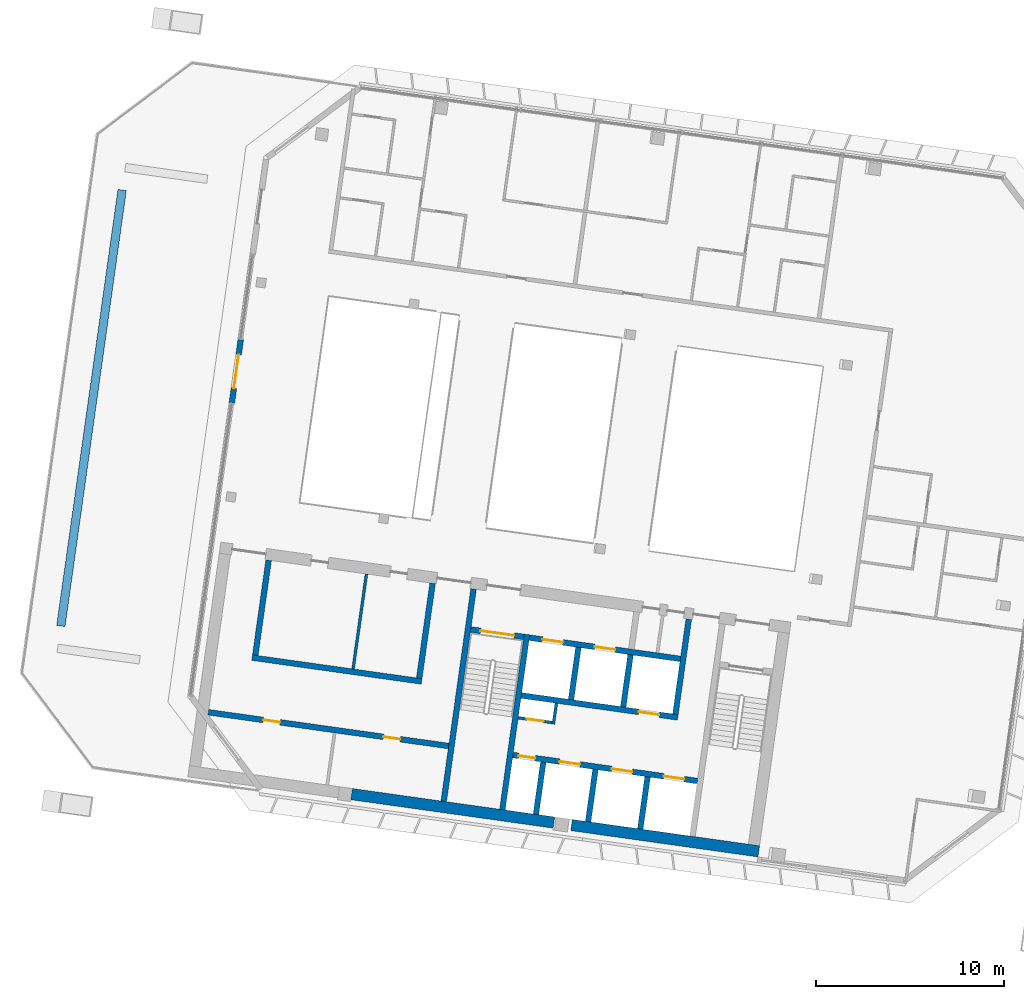
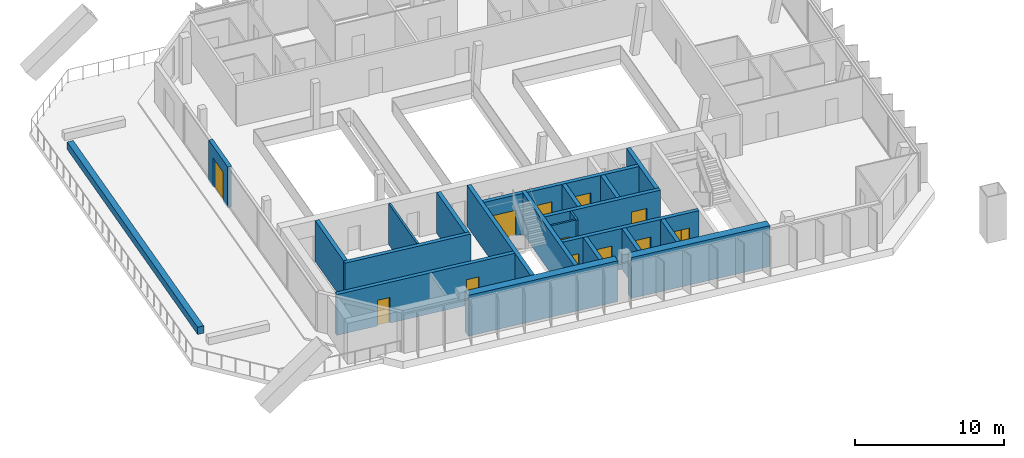
# One storey, part 10 of 19: 23 walls, 12 doors, 12 openings.
"""IFC4 building model written with IfcOpenShell, lengths in metres."""

import ifcopenshell
import ifcopenshell.guid

model = None  # the IFC model being written
_history = None  # IfcOwnerHistory: only IFC2X3 demands one
_inside = {}  # id of a spatial element -> (the spatial element, [elements in it])
_under = {}  # id of a project, library or spatial element -> (it, [spatial elements below it])
_declared = {}  # id of a project -> (the project, [libraries it declares])
_typed = {}  # id of a type object -> (the type object, [elements of that type])
_made_of = {}  # id of a material, layer set ... -> (it, [elements and type objects made of it])


def new_model(schema):
    """Start an empty IFC model of exactly this schema.

    Asked for "IFC4X3", IfcOpenShell would pick the latest addendum, in which some entities
    have other attributes; the version numbers below select the first issue.
    IFC2X3 requires an IfcOwnerHistory on every rooted entity: one is made here for all.
    """
    global model, _history
    if schema == "IFC4X3":
        model = ifcopenshell.file(schema_version=(4, 3, 0, 0))
    else:
        model = ifcopenshell.file(schema=schema)
    _inside.clear()
    _under.clear()
    _declared.clear()
    _typed.clear()
    _made_of.clear()
    _history = None
    if model.schema == "IFC2X3":
        org = make("IfcOrganization", Name="unknown")
        user = make(
            "IfcPersonAndOrganization",
            ThePerson=make("IfcPerson", FamilyName="unknown"),
            TheOrganization=org,
        )
        app = make(
            "IfcApplication",
            ApplicationDeveloper=org,
            Version="unknown",
            ApplicationFullName="unknown",
            ApplicationIdentifier="unknown",
        )
        _history = make(
            "IfcOwnerHistory",
            OwningUser=user,
            OwningApplication=app,
            ChangeAction="ADDED",
            CreationDate=0,
        )
    return model


def make(cls, **values):
    """One entity of the class cls with the attributes given. An attribute that is None is left unset."""
    return model.create_entity(
        cls, **{name: value for name, value in values.items() if value is not None}
    )


def rooted(cls, **values):
    """An entity with a GlobalId (a new one), such as an element, a storey or a relation."""
    return make(cls, GlobalId=ifcopenshell.guid.new(), OwnerHistory=_history, **values)


def si_unit(unit_type, name, prefix=None):
    """IfcSIUnit, for example si_unit("LENGTHUNIT", "METRE", prefix="MILLI")."""
    return make("IfcSIUnit", UnitType=unit_type, Prefix=prefix, Name=name)


def assignment(units):
    """IfcUnitAssignment: the units of a project."""
    return None if units is None else make("IfcUnitAssignment", Units=units)


def point(xyz):
    """IfcCartesianPoint."""
    return None if xyz is None else make("IfcCartesianPoint", Coordinates=xyz)


def direction(xyz):
    """IfcDirection."""
    return None if xyz is None else make("IfcDirection", DirectionRatios=xyz)


def frame(location, z_axis=None, x_axis=None):
    """IfcAxis2Placement3D, a coordinate frame: its origin and axes. An axis left out is left unset."""
    return make(
        "IfcAxis2Placement3D",
        Location=point(location),
        Axis=direction(z_axis),
        RefDirection=direction(x_axis),
    )


def frame_2d(location, x_axis=None):
    """IfcAxis2Placement2D, a coordinate frame in the plane: its origin and x axis."""
    return make(
        "IfcAxis2Placement2D", Location=point(location), RefDirection=direction(x_axis)
    )


def origin():
    """The frame at (0, 0, 0) with its axes left unset."""
    return frame((0.0, 0.0, 0.0))


def place(relative_to, where):
    """IfcLocalPlacement: puts the frame where relative to a parent placement (None: the world)."""
    return make(
        "IfcLocalPlacement", PlacementRelTo=relative_to, RelativePlacement=where
    )


def context(
    kind, dimensions, precision=None, world=None, true_north=None, identifier=None
):
    """IfcGeometricRepresentationContext, for example the 3D "Model" context."""
    return make(
        "IfcGeometricRepresentationContext",
        ContextIdentifier=identifier,
        ContextType=kind,
        CoordinateSpaceDimension=dimensions,
        Precision=precision,
        WorldCoordinateSystem=world,
        TrueNorth=true_north,
    )


def subcontext(parent, identifier, kind, view, scale=None):
    """IfcGeometricRepresentationSubContext, for example "Body" below "Model"."""
    return make(
        "IfcGeometricRepresentationSubContext",
        ContextIdentifier=identifier,
        ContextType=kind,
        ParentContext=parent,
        TargetScale=scale,
        TargetView=view,
    )


def project(units=None, contexts=None):
    """IfcProject with its units and contexts."""
    return rooted(
        "IfcProject",
        Name="project",
        RepresentationContexts=contexts,
        UnitsInContext=assignment(units),
    )


def spatial(cls, under=None, at=None, **own):
    """A site, building, storey or space (cls), placed at a placement, below another one or the project."""
    s = rooted(cls, ObjectPlacement=at, **own)
    if under is not None:
        _under.setdefault(under.id(), (under, []))[1].append(s)
    return s


def profile(cls, at=None, kind="AREA", **sizes):
    """A parametric profile (cls). Its sizes go by their IFC names, for example OverallWidth=200.0."""
    return make(cls, ProfileType=kind, Position=at, **sizes)


def rectangle(**sizes):
    """IfcRectangleProfileDef."""
    return profile("IfcRectangleProfileDef", **sizes)


def extrude(swept, where, along, depth):
    """IfcExtrudedAreaSolid: the profile swept, set in the frame where, extruded along a direction by depth."""
    return make(
        "IfcExtrudedAreaSolid",
        SweptArea=swept,
        Position=where,
        ExtrudedDirection=direction(along),
        Depth=depth,
    )


def shape(context_of_items, identifier, shape_type, items):
    """IfcShapeRepresentation: the items that make up one representation, for example the "Body"."""
    return make(
        "IfcShapeRepresentation",
        ContextOfItems=context_of_items,
        RepresentationIdentifier=identifier,
        RepresentationType=shape_type,
        Items=items,
    )


def material(Name=None, Category=None):
    """IfcMaterial."""
    return make("IfcMaterial", Name=Name, Category=Category)


def layer(
    of_material, thickness, ventilated=None, Name=None, Category=None, Priority=None
):
    """IfcMaterialLayer: one layer of a wall or slab, of a material (None: an air gap)."""
    return make(
        "IfcMaterialLayer",
        Material=of_material,
        LayerThickness=thickness,
        IsVentilated=ventilated,
        Name=Name,
        Category=Category,
        Priority=Priority,
    )


def layer_set(layers, Name=None):
    """IfcMaterialLayerSet."""
    return make("IfcMaterialLayerSet", MaterialLayers=layers, LayerSetName=Name)


def made_of(thing, what):
    """Note that an element or type object is made of a material, layer set ...; save() writes the relation."""
    if what is not None:
        _made_of.setdefault(what.id(), (what, []))[1].append(thing)
    return thing


def type_object(cls, material=None, **own):
    """A type object (cls), such as IfcWallType, which elements share."""
    return made_of(rooted(cls, **own), material)


def element(
    cls,
    number,
    at=None,
    inside=None,
    cuts=None,
    type_object=None,
    material=None,
    context=None,
    identifier="Body",
    shape_type=None,
    held_by="IfcProductDefinitionShape",
    body=None,
    shapes=None,
    **own,
):
    """One element of the class cls, such as IfcWall. Its Tag is "e" and its number.

    at: its placement. inside: the storey or other place that contains it. cuts: it is an
    opening in that element (IfcRelVoidsElement). A single representation is given by context,
    identifier, shape_type and body (its items); several are given by shapes. held_by: the class
    of the entity that holds the representations. save() writes the other relations.
    """
    e = rooted(cls, Tag="e%d" % number, ObjectPlacement=at, **own)
    if body is not None:
        shapes = [shape(context, identifier, shape_type, body)]
    if shapes is not None:
        e.Representation = make(held_by, Representations=shapes)
    if inside is not None:
        _inside.setdefault(inside.id(), (inside, []))[1].append(e)
    if cuts is not None:
        rooted(
            "IfcRelVoidsElement", RelatingBuildingElement=cuts, RelatedOpeningElement=e
        )
    if type_object is not None:
        _typed.setdefault(type_object.id(), (type_object, []))[1].append(e)
    return made_of(e, material)


def fill(opening, filler):
    """IfcRelFillsElement: the door or window that sits in an opening."""
    return rooted(
        "IfcRelFillsElement",
        RelatingOpeningElement=opening,
        RelatedBuildingElement=filler,
    )


def aggregate(whole, parts):
    """IfcRelAggregates: a whole, such as a stair, and the parts it consists of."""
    return rooted("IfcRelAggregates", RelatingObject=whole, RelatedObjects=parts)


def save(model, path):
    """Write the relations noted so far, then the file.

    IfcRelAggregates (storeys below a building ...), IfcRelContainedInSpatialStructure (elements
    in a storey), IfcRelDefinesByType, IfcRelAssociatesMaterial and IfcRelDeclares: one each for
    every whole, place, type object, material and project.
    """
    for whole, parts in _under.values():
        aggregate(whole, parts)
    for where, things in _inside.values():
        rooted(
            "IfcRelContainedInSpatialStructure",
            RelatedElements=things,
            RelatingStructure=where,
        )
    for kind, things in _typed.values():
        rooted("IfcRelDefinesByType", RelatedObjects=things, RelatingType=kind)
    for what, things in _made_of.values():
        rooted("IfcRelAssociatesMaterial", RelatedObjects=things, RelatingMaterial=what)
    for by, libraries in _declared.values():
        rooted("IfcRelDeclares", RelatingContext=by, RelatedDefinitions=libraries)
    model.write(path)


model = new_model("IFC4")

# Units and contexts
model_context = context("Model", 3, precision=1e-05, world=origin(), true_north=direction((0.0, 1.0)))
body_context = subcontext(model_context, "Body", "Model", "MODEL_VIEW")
ifc_project = project(units=[si_unit("LENGTHUNIT", "METRE"), si_unit("AREAUNIT", "SQUARE_METRE"), si_unit("VOLUMEUNIT", "CUBIC_METRE"), si_unit("PLANEANGLEUNIT", "RADIAN"), si_unit("MASSUNIT", "GRAM", prefix="KILO")], contexts=[model_context])

# Site, building, storey
site_placement = place(None, origin())
site = spatial("IfcSite", under=ifc_project, at=site_placement, CompositionType="ELEMENT")
building_placement = place(site_placement, origin())
building = spatial("IfcBuilding", under=site, at=building_placement, Name="Mirante Cascada Hotel Towers", CompositionType="ELEMENT")
storey_placement = place(building_placement, frame((0.0, 0.0, 231.8)))
storey = spatial("IfcBuildingStorey", under=building, at=storey_placement, Name="L55", CompositionType="ELEMENT", Elevation=231.8)

# Wall
ifc_material_1 = material(Name="Masonry block", Category="masonry")
ifc_layer_1 = layer(ifc_material_1, 0.15)
ifc_layer_set_1 = layer_set([ifc_layer_1], Name="Core room partition 150 block EI 30")
wall_type_1 = type_object("IfcWallType", Name="Core room partition 150 block EI 30", PredefinedType="PARTITIONING", material=ifc_layer_set_1)
wall_1_placement = place(storey_placement, frame((-48.2295, -12.793, 0.0), z_axis=(0.0, 0.0, 1.0), x_axis=(0.1391935, 0.9902652, 0.0)))
element("IfcWall", 1, at=wall_1_placement, inside=storey, type_object=wall_type_1, Name="Core wall partition T1 L55 2", PredefinedType="PARTITIONING", context=body_context, shape_type="SweptSolid", body=[
    extrude(rectangle(XDim=1.1251, YDim=0.15, at=frame_2d((0.5626, 0.0))), origin(), (0.0, 0.0, 1.0), 3.35),
])

# Wall, opening, door
wall_2_placement = place(storey_placement, frame((-48.2933, -12.7083, 0.0), z_axis=(0.0, 0.0, 1.0), x_axis=(-0.990268, 0.1391734, 0.0)))
wall_2 = element("IfcWall", 2, at=wall_2_placement, inside=storey, type_object=wall_type_1, Name="Core wall partition T1 L55 3", PredefinedType="PARTITIONING", context=body_context, shape_type="SweptSolid", body=[
    extrude(rectangle(XDim=1.8251, YDim=0.15, at=frame_2d((0.9126, 0.0))), origin(), (0.0, 0.0, 1.0), 3.35),
])
opening_1_placement = place(wall_2_placement, frame((0.4625, 0.0, 0.0)))
opening_1 = element("IfcOpeningElement", 3, at=opening_1_placement, cuts=wall_2, Name="Opening D1-55-C15", PredefinedType="OPENING", context=body_context, shape_type="SweptSolid", body=[
    extrude(rectangle(XDim=0.9, YDim=2.1, at=frame_2d((0.45, 1.05))), frame((0.0, 0.075, 0.0), z_axis=(0.0, -1.0, 0.0), x_axis=(1.0, 0.0, 0.0)), (0.0, 0.0, 1.0), 0.15),
])
ifc_material_2 = material(Name="Hollow metal fire door leaf")
door_type_1 = type_object("IfcDoorType", Name="Fire door 900x2100 FD60", OperationType="NOTDEFINED", PredefinedType="DOOR", material=ifc_material_2)
door_1_placement = place(opening_1_placement, origin())
door_1 = element("IfcDoor", 4, at=door_1_placement, inside=storey, type_object=door_type_1, Name="Riser door T1 L55 15", OperationType="SINGLE_SWING_LEFT", OverallHeight=2.1, OverallWidth=0.9, PredefinedType="DOOR", context=body_context, shape_type="SweptSolid", body=[
    extrude(rectangle(XDim=0.9, YDim=2.1, at=frame_2d((0.45, 1.05))), frame((0.0, 0.025, 0.0), z_axis=(0.0, -1.0, 0.0), x_axis=(1.0, 0.0, 0.0)), (0.0, 0.0, 1.0), 0.05),
])
fill(opening_1, door_1)

# Wall
wall_3_placement = place(storey_placement, frame((-58.8746, -9.8579, 0.0), z_axis=(0.0, 0.0, 1.0), x_axis=(0.1391755, 0.9902677, 0.0)))
element("IfcWall", 5, at=wall_3_placement, inside=storey, type_object=wall_type_1, Name="Core wall partition T1 L55 7", PredefinedType="PARTITIONING", context=body_context, shape_type="SweptSolid", body=[
    extrude(rectangle(XDim=5.1, YDim=0.15, at=frame_2d((2.55, 0.0))), origin(), (0.0, 0.0, 1.0), 3.35),
])

# Wall, openings, doors
ifc_material_3 = material(Name="Masonry block", Category="masonry")
ifc_layer_2 = layer(ifc_material_3, 0.3)
ifc_layer_set_2 = layer_set([ifc_layer_2], Name="Core wall 300 block EI 120")
wall_type_2 = type_object("IfcWallType", Name="Core wall 300 block EI 120", PredefinedType="PARTITIONING", material=ifc_layer_set_2)
wall_4_placement = place(storey_placement, frame((-53.7953, -13.9547, 0.0), z_axis=(0.0, 0.0, 1.0), x_axis=(-0.9902674, 0.1391777, 0.0)))
wall_4 = element("IfcWall", 6, at=wall_4_placement, inside=storey, type_object=wall_type_2, Name="Core wall partition T1 L55 5", PredefinedType="PARTITIONING", context=body_context, shape_type="SweptSolid", body=[
    extrude(rectangle(XDim=12.9001, YDim=0.3, at=frame_2d((6.45, 0.0))), origin(), (0.0, 0.0, 1.0), 3.35),
])
opening_2_placement = place(wall_4_placement, frame((2.6, 0.0, 0.0)))
opening_2 = element("IfcOpeningElement", 7, at=opening_2_placement, cuts=wall_4, Name="Opening D1-55-C18", PredefinedType="OPENING", context=body_context, shape_type="SweptSolid", body=[
    extrude(rectangle(XDim=0.9, YDim=2.1, at=frame_2d((0.45, 1.05))), frame((0.0, 0.15, 0.0), z_axis=(0.0, -1.0, 0.0), x_axis=(1.0, 0.0, 0.0)), (0.0, 0.0, 1.0), 0.3),
])
opening_3_placement = place(wall_4_placement, frame((9.05, 0.0, 0.0)))
opening_3 = element("IfcOpeningElement", 8, at=opening_3_placement, cuts=wall_4, Name="Opening D1-55-C19", PredefinedType="OPENING", context=body_context, shape_type="SweptSolid", body=[
    extrude(rectangle(XDim=0.9, YDim=2.1, at=frame_2d((0.45, 1.05))), frame((0.0, 0.15, 0.0), z_axis=(0.0, -1.0, 0.0), x_axis=(1.0, 0.0, 0.0)), (0.0, 0.0, 1.0), 0.3),
])
door_2_placement = place(opening_2_placement, origin())
door_2 = element("IfcDoor", 9, at=door_2_placement, inside=storey, type_object=door_type_1, Name="Room door T1 L55 18", OperationType="SINGLE_SWING_RIGHT", OverallHeight=2.1, OverallWidth=0.9, PredefinedType="DOOR", context=body_context, shape_type="SweptSolid", body=[
    extrude(rectangle(XDim=0.9, YDim=2.1, at=frame_2d((0.45, 1.05))), frame((0.0, 0.025, 0.0), z_axis=(0.0, -1.0, 0.0), x_axis=(1.0, 0.0, 0.0)), (0.0, 0.0, 1.0), 0.05),
])
fill(opening_2, door_2)
door_3_placement = place(opening_3_placement, origin())
door_3 = element("IfcDoor", 10, at=door_3_placement, inside=storey, type_object=door_type_1, Name="Room door T1 L55 19", OperationType="SINGLE_SWING_LEFT", OverallHeight=2.1, OverallWidth=0.9, PredefinedType="DOOR", context=body_context, shape_type="SweptSolid", body=[
    extrude(rectangle(XDim=0.9, YDim=2.1, at=frame_2d((0.45, 1.05))), frame((0.0, 0.025, 0.0), z_axis=(0.0, -1.0, 0.0), x_axis=(1.0, 0.0, 0.0)), (0.0, 0.0, 1.0), 0.05),
])
fill(opening_3, door_3)

# Wall
ifc_material_4 = material(Name="Precast concrete C40/50", Category="concrete")
ifc_layer_3 = layer(ifc_material_4, 0.45)
ifc_layer_set_3 = layer_set([ifc_layer_3], Name="Planter wall 450 concrete C40/50")
wall_type_3 = type_object("IfcWallType", Name="Planter wall 450 concrete C40/50", PredefinedType="PARAPET", material=ifc_layer_set_3)
wall_5_placement = place(storey_placement, frame((-74.4079, -7.5739, 0.0), z_axis=(0.0, 0.0, 1.0), x_axis=(0.1391708, 0.9902684, 0.0)))
element("IfcWall", 11, at=wall_5_placement, inside=storey, type_object=wall_type_3, Name="PLANTER T1 L55 bed 3", PredefinedType="PARAPET", context=body_context, shape_type="SweptSolid", body=[
    extrude(rectangle(XDim=23.4, YDim=0.45, at=frame_2d((11.7, 0.0))), origin(), (0.0, 0.0, 1.0), 0.6),
])

# Wall, opening, door
ifc_material_5 = material(Name="Precast concrete C40/50", Category="concrete")
ifc_layer_4 = layer(ifc_material_5, 0.3)
ifc_layer_set_4 = layer_set([ifc_layer_4], Name="Precast concrete C40/50 terrace wall 300")
wall_type_4 = type_object("IfcWallType", Name="Precast concrete C40/50 terrace wall 300", PredefinedType="STANDARD", material=ifc_layer_set_4)
wall_6_placement = place(storey_placement, frame((-65.3202, 4.2767, 0.0), z_axis=(0.0, 0.0, 1.0), x_axis=(0.1391769, 0.9902675, 0.0)))
wall_6 = element("IfcWall", 12, at=wall_6_placement, inside=storey, type_object=wall_type_4, Name="Lounge door pier wall T1 L55 2", PredefinedType="STANDARD", context=body_context, shape_type="SweptSolid", body=[
    extrude(rectangle(XDim=3.4, YDim=0.3, at=frame_2d((1.7, 0.0))), origin(), (0.0, 0.0, 1.0), 3.35),
])
opening_4_placement = place(wall_6_placement, frame((0.8, 0.0, 0.0)))
opening_4 = element("IfcOpeningElement", 13, at=opening_4_placement, cuts=wall_6, Name="Opening D1-55-91", PredefinedType="OPENING", context=body_context, shape_type="SweptSolid", body=[
    extrude(rectangle(XDim=1.8, YDim=2.4, at=frame_2d((0.9, 1.2))), frame((0.0, 0.15, 0.0), z_axis=(0.0, -1.0, 0.0), x_axis=(1.0, 0.0, 0.0)), (0.0, 0.0, 1.0), 0.3),
])
ifc_material_6 = material(Name="Aluminium frame with clear laminated glazing", Category="aluminium")
door_type_2 = type_object("IfcDoorType", Name="Terrace double door 1800x2400", OperationType="DOUBLE_DOOR_SINGLE_SWING", PredefinedType="DOOR", material=ifc_material_6)
door_4_placement = place(opening_4_placement, origin())
door_4 = element("IfcDoor", 14, at=door_4_placement, inside=storey, type_object=door_type_2, Name="Terrace door D1-55-91", OperationType="DOUBLE_DOOR_SINGLE_SWING", OverallHeight=2.4, OverallWidth=1.8, PredefinedType="DOOR", context=body_context, shape_type="SweptSolid", body=[
    extrude(rectangle(XDim=0.895, YDim=2.4, at=frame_2d((0.4475, 1.2))), frame((0.0, 0.025, 0.0), z_axis=(0.0, -1.0, 0.0), x_axis=(1.0, 0.0, 0.0)), (0.0, 0.0, 1.0), 0.05),
    extrude(rectangle(XDim=0.895, YDim=2.4, at=frame_2d((1.3525, 1.2))), frame((0.0, 0.025, 0.0), z_axis=(0.0, -1.0, 0.0), x_axis=(1.0, 0.0, 0.0)), (0.0, 0.0, 1.0), 0.05),
])
fill(opening_4, door_4)

# Walls
ifc_material_7 = material(Name="Concrete C50/60", Category="concrete")
ifc_layer_5 = layer(ifc_material_7, 0.3)
ifc_layer_set_5 = layer_set([ifc_layer_5], Name="RC core wall 300 C50/60")
wall_type_5 = type_object("IfcWallType", Name="RC core wall 300 C50/60", PredefinedType="SHEAR", material=ifc_layer_set_5)
wall_7_placement = place(storey_placement, frame((-50.938, -17.3352, 0.0), z_axis=(0.0, 0.0, 1.0), x_axis=(0.1391706, 0.9902684, 0.0)))
element("IfcWall", 15, at=wall_7_placement, inside=storey, type_object=wall_type_5, Name="Core wall T1:L55:6", PredefinedType="SHEAR", context=body_context, shape_type="SweptSolid", body=[
    extrude(rectangle(XDim=9.4, YDim=0.3, at=frame_2d((4.7, 0.0))), origin(), (0.0, 0.0, 1.0), 3.35),
])
wall_8_placement = place(storey_placement, frame((-54.0574, -16.8968, 0.0), z_axis=(0.0, 0.0, 1.0), x_axis=(0.1391761, 0.9902677, 0.0)))
element("IfcWall", 16, at=wall_8_placement, inside=storey, type_object=wall_type_5, Name="Core wall T1:L55:7", PredefinedType="SHEAR", context=body_context, shape_type="SweptSolid", body=[
    extrude(rectangle(XDim=11.3999, YDim=0.3, at=frame_2d((5.7, 0.0))), origin(), (0.0, 0.0, 1.0), 3.35),
])

# Wall, opening, door
wall_9_placement = place(storey_placement, frame((-49.7992, -8.1544, 0.0), z_axis=(0.0, 0.0, 1.0), x_axis=(-0.9902656, 0.1391909, 0.0)))
wall_9 = element("IfcWall", 17, at=wall_9_placement, inside=storey, type_object=wall_type_5, Name="Core wall T1:L55:9", PredefinedType="SHEAR", context=body_context, shape_type="SweptSolid", body=[
    extrude(rectangle(XDim=2.85, YDim=0.3, at=frame_2d((1.425, 0.0))), origin(), (0.0, 0.0, 1.0), 3.35),
])
opening_5_placement = place(wall_9_placement, frame((0.525, 0.0, 0.0)))
opening_5 = element("IfcOpeningElement", 18, at=opening_5_placement, cuts=wall_9, Name="Opening D1-55-C09", PredefinedType="OPENING", context=body_context, shape_type="SweptSolid", body=[
    extrude(rectangle(XDim=1.8, YDim=2.1, at=frame_2d((0.9, 1.05))), frame((0.0, 0.15, 0.0), z_axis=(0.0, -1.0, 0.0), x_axis=(1.0, 0.0, 0.0)), (0.0, 0.0, 1.0), 0.3),
])
ifc_material_8 = material(Name="Hollow metal fire door leaf")
door_type_3 = type_object("IfcDoorType", Name="Double fire door 1800x2100 FD60", OperationType="DOUBLE_DOOR_SINGLE_SWING", PredefinedType="DOOR", material=ifc_material_8)
door_5_placement = place(opening_5_placement, origin())
door_5 = element("IfcDoor", 19, at=door_5_placement, inside=storey, type_object=door_type_3, Name="Stair door T1 L55 9", OperationType="DOUBLE_DOOR_SINGLE_SWING", OverallHeight=2.1, OverallWidth=1.8, PredefinedType="DOOR", context=body_context, shape_type="SweptSolid", body=[
    extrude(rectangle(XDim=0.895, YDim=2.1, at=frame_2d((0.4475, 1.05))), frame((0.0, 0.025, 0.0), z_axis=(0.0, -1.0, 0.0), x_axis=(1.0, 0.0, 0.0)), (0.0, 0.0, 1.0), 0.05),
    extrude(rectangle(XDim=0.895, YDim=2.1, at=frame_2d((1.3525, 1.05))), frame((0.0, 0.025, 0.0), z_axis=(0.0, -1.0, 0.0), x_axis=(1.0, 0.0, 0.0)), (0.0, 0.0, 1.0), 0.05),
])
fill(opening_5, door_5)

# Wall, openings, doors
wall_10_placement = place(storey_placement, frame((-40.5753, -15.8126, 0.0), z_axis=(0.0, 0.0, 1.0), x_axis=(-0.9902682, 0.1391725, 0.0)))
wall_10 = element("IfcWall", 20, at=wall_10_placement, inside=storey, type_object=wall_type_5, Name="Core wall T1:L55:10", PredefinedType="SHEAR", context=body_context, shape_type="SweptSolid", body=[
    extrude(rectangle(XDim=9.8999, YDim=0.3, at=frame_2d((4.95, 0.0))), origin(), (0.0, 0.0, 1.0), 3.35),
])
opening_6_placement = place(wall_10_placement, frame((0.7, 0.0, 0.0)))
opening_6 = element("IfcOpeningElement", 21, at=opening_6_placement, cuts=wall_10, Name="Opening LD", PredefinedType="OPENING", context=body_context, shape_type="SweptSolid", body=[
    extrude(rectangle(XDim=1.1, YDim=2.1, at=frame_2d((0.55, 1.05))), frame((0.0, 0.15, 0.0), z_axis=(0.0, -1.0, 0.0), x_axis=(1.0, 0.0, 0.0)), (0.0, 0.0, 1.0), 0.3),
])
opening_7_placement = place(wall_10_placement, frame((3.5, 0.0, 0.0)))
opening_7 = element("IfcOpeningElement", 22, at=opening_7_placement, cuts=wall_10, Name="Opening LD", PredefinedType="OPENING", context=body_context, shape_type="SweptSolid", body=[
    extrude(rectangle(XDim=1.1, YDim=2.1, at=frame_2d((0.55, 1.05))), frame((0.0, 0.15, 0.0), z_axis=(0.0, -1.0, 0.0), x_axis=(1.0, 0.0, 0.0)), (0.0, 0.0, 1.0), 0.3),
])
opening_8_placement = place(wall_10_placement, frame((6.3, 0.0, 0.0)))
opening_8 = element("IfcOpeningElement", 23, at=opening_8_placement, cuts=wall_10, Name="Opening LD", PredefinedType="OPENING", context=body_context, shape_type="SweptSolid", body=[
    extrude(rectangle(XDim=1.1, YDim=2.1, at=frame_2d((0.55, 1.05))), frame((0.0, 0.15, 0.0), z_axis=(0.0, -1.0, 0.0), x_axis=(1.0, 0.0, 0.0)), (0.0, 0.0, 1.0), 0.3),
])
opening_9_placement = place(wall_10_placement, frame((8.7, 0.0, 0.0)))
opening_9 = element("IfcOpeningElement", 24, at=opening_9_placement, cuts=wall_10, Name="Opening D1-55-C14", PredefinedType="OPENING", context=body_context, shape_type="SweptSolid", body=[
    extrude(rectangle(XDim=0.9, YDim=2.1, at=frame_2d((0.45, 1.05))), frame((0.0, 0.15, 0.0), z_axis=(0.0, -1.0, 0.0), x_axis=(1.0, 0.0, 0.0)), (0.0, 0.0, 1.0), 0.3),
])
door_6_placement = place(opening_9_placement, origin())
door_6 = element("IfcDoor", 25, at=door_6_placement, inside=storey, type_object=door_type_1, Name="Riser door T1 L55 14", OperationType="SINGLE_SWING_LEFT", OverallHeight=2.1, OverallWidth=0.9, PredefinedType="DOOR", context=body_context, shape_type="SweptSolid", body=[
    extrude(rectangle(XDim=0.9, YDim=2.1, at=frame_2d((0.45, 1.05))), frame((0.0, 0.025, 0.0), z_axis=(0.0, -1.0, 0.0), x_axis=(1.0, 0.0, 0.0)), (0.0, 0.0, 1.0), 0.05),
])
fill(opening_9, door_6)
ifc_material_9 = material(Name="Stainless steel", Category="steel")
door_type_4 = type_object("IfcDoorType", Name="Lift landing door 1100x2100 EI 120", OperationType="DOUBLE_DOOR_SLIDING", PredefinedType="DOOR", material=ifc_material_9)
door_7_placement = place(opening_6_placement, origin())
door_7 = element("IfcDoor", 26, at=door_7_placement, inside=storey, type_object=door_type_4, Name="Lift landing door HR1-1 L55", OperationType="DOUBLE_DOOR_SLIDING", OverallHeight=2.1, OverallWidth=1.1, PredefinedType="DOOR", context=body_context, shape_type="SweptSolid", body=[
    extrude(rectangle(XDim=0.545, YDim=2.1, at=frame_2d((0.2725, 1.05))), frame((0.0, 0.025, 0.0), z_axis=(0.0, -1.0, 0.0), x_axis=(1.0, 0.0, 0.0)), (0.0, 0.0, 1.0), 0.05),
    extrude(rectangle(XDim=0.545, YDim=2.1, at=frame_2d((0.8275, 1.05))), frame((0.0, 0.025, 0.0), z_axis=(0.0, -1.0, 0.0), x_axis=(1.0, 0.0, 0.0)), (0.0, 0.0, 1.0), 0.05),
])
fill(opening_6, door_7)
door_8_placement = place(opening_7_placement, origin())
door_8 = element("IfcDoor", 27, at=door_8_placement, inside=storey, type_object=door_type_4, Name="Lift landing door HR1-2 L55", OperationType="DOUBLE_DOOR_SLIDING", OverallHeight=2.1, OverallWidth=1.1, PredefinedType="DOOR", context=body_context, shape_type="SweptSolid", body=[
    extrude(rectangle(XDim=0.545, YDim=2.1, at=frame_2d((0.2725, 1.05))), frame((0.0, 0.025, 0.0), z_axis=(0.0, -1.0, 0.0), x_axis=(1.0, 0.0, 0.0)), (0.0, 0.0, 1.0), 0.05),
    extrude(rectangle(XDim=0.545, YDim=2.1, at=frame_2d((0.8275, 1.05))), frame((0.0, 0.025, 0.0), z_axis=(0.0, -1.0, 0.0), x_axis=(1.0, 0.0, 0.0)), (0.0, 0.0, 1.0), 0.05),
])
fill(opening_7, door_8)
door_9_placement = place(opening_8_placement, origin())
door_9 = element("IfcDoor", 28, at=door_9_placement, inside=storey, type_object=door_type_4, Name="Lift landing door HR1-3 L55", OperationType="DOUBLE_DOOR_SLIDING", OverallHeight=2.1, OverallWidth=1.1, PredefinedType="DOOR", context=body_context, shape_type="SweptSolid", body=[
    extrude(rectangle(XDim=0.545, YDim=2.1, at=frame_2d((0.2725, 1.05))), frame((0.0, 0.025, 0.0), z_axis=(0.0, -1.0, 0.0), x_axis=(1.0, 0.0, 0.0)), (0.0, 0.0, 1.0), 0.05),
    extrude(rectangle(XDim=0.545, YDim=2.1, at=frame_2d((0.8275, 1.05))), frame((0.0, 0.025, 0.0), z_axis=(0.0, -1.0, 0.0), x_axis=(1.0, 0.0, 0.0)), (0.0, 0.0, 1.0), 0.05),
])
fill(opening_8, door_9)

# Wall, opening, door
wall_11_placement = place(storey_placement, frame((-41.6153, -12.435, 0.0), z_axis=(0.0, 0.0, 1.0), x_axis=(-0.9902691, 0.139166, 0.0)))
wall_11 = element("IfcWall", 29, at=wall_11_placement, inside=storey, type_object=wall_type_5, Name="Core wall T1:L55:11", PredefinedType="SHEAR", context=body_context, shape_type="SweptSolid", body=[
    extrude(rectangle(XDim=8.4, YDim=0.3, at=frame_2d((4.2, 0.0))), origin(), (0.0, 0.0, 1.0), 3.35),
])
opening_10_placement = place(wall_11_placement, frame((1.0, 0.0, 0.0)))
opening_10 = element("IfcOpeningElement", 30, at=opening_10_placement, cuts=wall_11, Name="Opening LD", PredefinedType="OPENING", context=body_context, shape_type="SweptSolid", body=[
    extrude(rectangle(XDim=1.1, YDim=2.1, at=frame_2d((0.55, 1.05))), frame((0.0, 0.15, 0.0), z_axis=(0.0, -1.0, 0.0), x_axis=(1.0, 0.0, 0.0)), (0.0, 0.0, 1.0), 0.3),
])
door_10_placement = place(opening_10_placement, origin())
door_10 = element("IfcDoor", 31, at=door_10_placement, inside=storey, type_object=door_type_4, Name="Lift landing door HR1-4 L55", OperationType="DOUBLE_DOOR_SLIDING", OverallHeight=2.1, OverallWidth=1.1, PredefinedType="DOOR", context=body_context, shape_type="SweptSolid", body=[
    extrude(rectangle(XDim=0.545, YDim=2.1, at=frame_2d((0.2725, 1.05))), frame((0.0, 0.025, 0.0), z_axis=(0.0, -1.0, 0.0), x_axis=(1.0, 0.0, 0.0)), (0.0, 0.0, 1.0), 0.05),
    extrude(rectangle(XDim=0.545, YDim=2.1, at=frame_2d((0.8275, 1.05))), frame((0.0, 0.025, 0.0), z_axis=(0.0, -1.0, 0.0), x_axis=(1.0, 0.0, 0.0)), (0.0, 0.0, 1.0), 0.05),
])
fill(opening_10, door_10)

# Wall, openings, doors
wall_12_placement = place(storey_placement, frame((-41.481, -9.3234, 0.0), z_axis=(0.0, 0.0, 1.0), x_axis=(-0.9902679, 0.1391741, 0.0)))
wall_12 = element("IfcWall", 32, at=wall_12_placement, inside=storey, type_object=wall_type_5, Name="Core wall T1:L55:12", PredefinedType="SHEAR", context=body_context, shape_type="SweptSolid", body=[
    extrude(rectangle(XDim=8.0999, YDim=0.3, at=frame_2d((4.05, 0.0))), origin(), (0.0, 0.0, 1.0), 3.35),
])
opening_11_placement = place(wall_12_placement, frame((3.5, 0.0, 0.0)))
opening_11 = element("IfcOpeningElement", 33, at=opening_11_placement, cuts=wall_12, Name="Opening LD", PredefinedType="OPENING", context=body_context, shape_type="SweptSolid", body=[
    extrude(rectangle(XDim=1.1, YDim=2.1, at=frame_2d((0.55, 1.05))), frame((0.0, 0.15, 0.0), z_axis=(0.0, -1.0, 0.0), x_axis=(1.0, 0.0, 0.0)), (0.0, 0.0, 1.0), 0.3),
])
opening_12_placement = place(wall_12_placement, frame((6.3, 0.0, 0.0)))
opening_12 = element("IfcOpeningElement", 34, at=opening_12_placement, cuts=wall_12, Name="Opening LD", PredefinedType="OPENING", context=body_context, shape_type="SweptSolid", body=[
    extrude(rectangle(XDim=1.1, YDim=2.1, at=frame_2d((0.55, 1.05))), frame((0.0, 0.15, 0.0), z_axis=(0.0, -1.0, 0.0), x_axis=(1.0, 0.0, 0.0)), (0.0, 0.0, 1.0), 0.3),
])
door_11_placement = place(opening_11_placement, origin())
door_11 = element("IfcDoor", 35, at=door_11_placement, inside=storey, type_object=door_type_4, Name="Lift landing door FF1 L55", OperationType="DOUBLE_DOOR_SLIDING", OverallHeight=2.1, OverallWidth=1.1, PredefinedType="DOOR", context=body_context, shape_type="SweptSolid", body=[
    extrude(rectangle(XDim=0.545, YDim=2.1, at=frame_2d((0.2725, 1.05))), frame((0.0, 0.025, 0.0), z_axis=(0.0, -1.0, 0.0), x_axis=(1.0, 0.0, 0.0)), (0.0, 0.0, 1.0), 0.05),
    extrude(rectangle(XDim=0.545, YDim=2.1, at=frame_2d((0.8275, 1.05))), frame((0.0, 0.025, 0.0), z_axis=(0.0, -1.0, 0.0), x_axis=(1.0, 0.0, 0.0)), (0.0, 0.0, 1.0), 0.05),
])
fill(opening_11, door_11)
door_12_placement = place(opening_12_placement, origin())
door_12 = element("IfcDoor", 36, at=door_12_placement, inside=storey, type_object=door_type_4, Name="Lift landing door FF2 L55", OperationType="DOUBLE_DOOR_SLIDING", OverallHeight=2.1, OverallWidth=1.1, PredefinedType="DOOR", context=body_context, shape_type="SweptSolid", body=[
    extrude(rectangle(XDim=0.545, YDim=2.1, at=frame_2d((0.2725, 1.05))), frame((0.0, 0.025, 0.0), z_axis=(0.0, -1.0, 0.0), x_axis=(1.0, 0.0, 0.0)), (0.0, 0.0, 1.0), 0.05),
    extrude(rectangle(XDim=0.545, YDim=2.1, at=frame_2d((0.8275, 1.05))), frame((0.0, 0.025, 0.0), z_axis=(0.0, -1.0, 0.0), x_axis=(1.0, 0.0, 0.0)), (0.0, 0.0, 1.0), 0.05),
])
fill(opening_12, door_12)

# Walls
wall_13_placement = place(storey_placement, frame((-43.61, -18.3651, 0.0), z_axis=(0.0, 0.0, 1.0), x_axis=(0.1391459, 0.9902719, 0.0)))
element("IfcWall", 37, at=wall_13_placement, inside=storey, type_object=wall_type_5, Name="Core wall T1:L55:13", PredefinedType="SHEAR", context=body_context, shape_type="SweptSolid", body=[
    extrude(rectangle(XDim=2.7999, YDim=0.3, at=frame_2d((1.4, 0.0))), origin(), (0.0, 0.0, 1.0), 3.35),
])
wall_14_placement = place(storey_placement, frame((-46.3828, -17.9754, 0.0), z_axis=(0.0, 0.0, 1.0), x_axis=(0.139181, 0.990267, 0.0)))
element("IfcWall", 38, at=wall_14_placement, inside=storey, type_object=wall_type_5, Name="Core wall T1:L55:14", PredefinedType="SHEAR", context=body_context, shape_type="SweptSolid", body=[
    extrude(rectangle(XDim=2.8, YDim=0.3, at=frame_2d((1.4, 0.0))), origin(), (0.0, 0.0, 1.0), 3.35),
])
wall_15_placement = place(storey_placement, frame((-49.1555, -17.5857, 0.0), z_axis=(0.0, 0.0, 1.0), x_axis=(0.1391459, 0.9902719, 0.0)))
element("IfcWall", 39, at=wall_15_placement, inside=storey, type_object=wall_type_5, Name="Core wall T1:L55:15", PredefinedType="SHEAR", context=body_context, shape_type="SweptSolid", body=[
    extrude(rectangle(XDim=2.7999, YDim=0.3, at=frame_2d((1.4, 0.0))), origin(), (0.0, 0.0, 1.0), 3.35),
])
for number, where, z_axis, x_axis, name in (
    (40, (-44.5157, -11.8759, 0.0), (0.0, 0.0, 1.0), (0.139181, 0.990267, 0.0), "Core wall T1:L55:16"),
    (41, (-47.2885, -11.4862, 0.0), (0.0, 0.0, 1.0), (0.139181, 0.990267, 0.0), "Core wall T1:L55:17"),
):
    element("IfcWall", number, at=place(storey_placement, frame(where, z_axis=z_axis, x_axis=x_axis)), inside=storey, type_object=wall_type_5, Name=name, PredefinedType="SHEAR", context=body_context, shape_type="SweptSolid", body=[
        extrude(rectangle(XDim=2.8, YDim=0.3, at=frame_2d((1.4, 0.0))), origin(), (0.0, 0.0, 1.0), 3.35),
    ])
wall_16_placement = place(storey_placement, frame((-41.743, -12.2656, 0.0), z_axis=(0.0, 0.0, 1.0), x_axis=(0.1391755, 0.9902677, 0.0)))
element("IfcWall", 42, at=wall_16_placement, inside=storey, type_object=wall_type_5, Name="Core wall T1:L55:18", PredefinedType="SHEAR", context=body_context, shape_type="SweptSolid", body=[
    extrude(rectangle(XDim=5.1, YDim=0.3, at=frame_2d((2.55, 0.0))), origin(), (0.0, 0.0, 1.0), 3.35),
])
wall_17_placement = place(storey_placement, frame((-55.2315, -10.5214, 0.0), z_axis=(0.0, 0.0, 1.0), x_axis=(-0.9902676, 0.1391764, 0.0)))
element("IfcWall", 43, at=wall_17_placement, inside=storey, type_object=wall_type_5, Name="Core wall T1:L55:25", PredefinedType="SHEAR", context=body_context, shape_type="SweptSolid", body=[
    extrude(rectangle(XDim=9.1, YDim=0.3, at=frame_2d((4.55, 0.0))), origin(), (0.0, 0.0, 1.0), 3.35),
])
wall_18_placement = place(storey_placement, frame((-55.3592, -10.352, 0.0), z_axis=(0.0, 0.0, 1.0), x_axis=(0.1391755, 0.9902677, 0.0)))
element("IfcWall", 44, at=wall_18_placement, inside=storey, type_object=wall_type_5, Name="Core wall T1:L55:26", PredefinedType="SHEAR", context=body_context, shape_type="SweptSolid", body=[
    extrude(rectangle(XDim=5.1, YDim=0.3, at=frame_2d((2.55, 0.0))), origin(), (0.0, 0.0, 1.0), 3.35),
])
wall_19_placement = place(storey_placement, frame((-64.0735, -9.1272, 0.0), z_axis=(0.0, 0.0, 1.0), x_axis=(0.1391782, 0.9902673, 0.0)))
element("IfcWall", 45, at=wall_19_placement, inside=storey, type_object=wall_type_5, Name="Core wall T1:L55:27", PredefinedType="SHEAR", context=body_context, shape_type="SweptSolid", body=[
    extrude(rectangle(XDim=5.0999, YDim=0.3, at=frame_2d((2.55, 0.0))), origin(), (0.0, 0.0, 1.0), 3.35),
])
ifc_material_10 = material(Name="Concrete C50/60", Category="concrete")
ifc_layer_6 = layer(ifc_material_10, 0.6)
ifc_layer_set_6 = layer_set([ifc_layer_6], Name="RC core wall 600 C50/60")
wall_type_6 = type_object("IfcWallType", Name="RC core wall 600 C50/60", PredefinedType="SHEAR", material=ifc_layer_set_6)
wall_20_placement = place(storey_placement, frame((-37.3141, -19.5529, 0.0), z_axis=(0.0, 0.0, 1.0), x_axis=(-0.9902683, 0.1391712, 0.0)))
element("IfcWall", 46, at=wall_20_placement, inside=storey, type_object=wall_type_6, Name="Core wall T1:L55:1.1", PredefinedType="SHEAR", context=body_context, shape_type="SweptSolid", body=[
    extrude(rectangle(XDim=10.0437, YDim=0.6, at=frame_2d((5.0218, 0.0))), origin(), (0.0, 0.0, 1.0), 3.35),
])
wall_21_placement = place(storey_placement, frame((-48.2038, -18.0224, 0.0), z_axis=(0.0, 0.0, 1.0), x_axis=(-0.990269, 0.1391662, 0.0)))
element("IfcWall", 47, at=wall_21_placement, inside=storey, type_object=wall_type_6, Name="Core wall T1:L55:1.2", PredefinedType="SHEAR", context=body_context, shape_type="SweptSolid", body=[
    extrude(rectangle(XDim=10.8532, YDim=0.6, at=frame_2d((5.4266, 0.0))), origin(), (0.0, 0.0, 1.0), 3.35),
])

save(model, "model.ifc")
